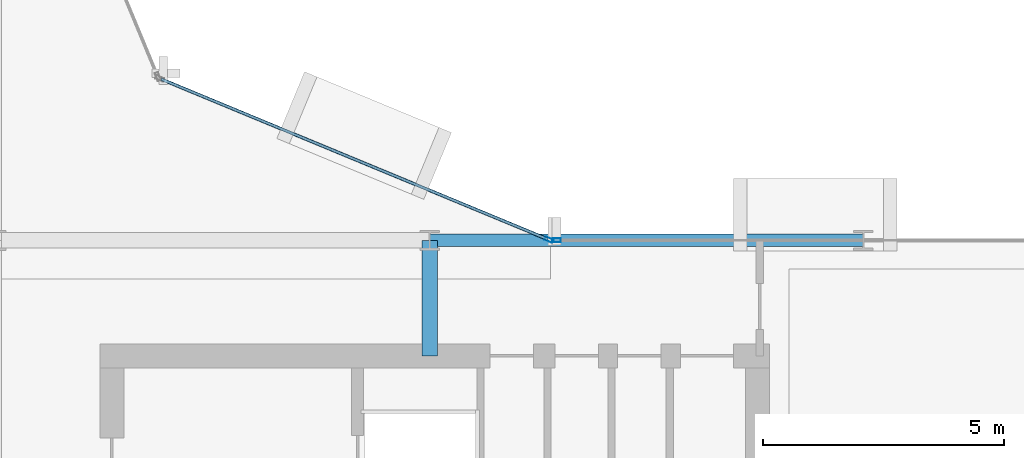
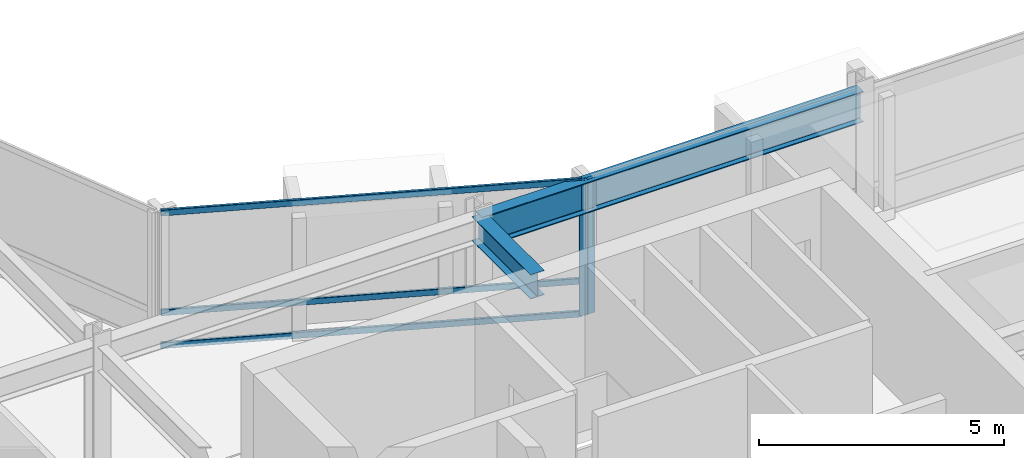
# One storey, part 12 of 27: 5 members, 2 beams, 2 elements without a shape of their own.
"""IFC4 building model written with IfcOpenShell, lengths in metres."""

import ifcopenshell
import ifcopenshell.guid

model = None  # the IFC model being written
_history = None  # IfcOwnerHistory: only IFC2X3 demands one
_inside = {}  # id of a spatial element -> (the spatial element, [elements in it])
_under = {}  # id of a project, library or spatial element -> (it, [spatial elements below it])
_declared = {}  # id of a project -> (the project, [libraries it declares])
_typed = {}  # id of a type object -> (the type object, [elements of that type])
_made_of = {}  # id of a material, layer set ... -> (it, [elements and type objects made of it])


def new_model(schema):
    """Start an empty IFC model of exactly this schema.

    Asked for "IFC4X3", IfcOpenShell would pick the latest addendum, in which some entities
    have other attributes; the version numbers below select the first issue.
    IFC2X3 requires an IfcOwnerHistory on every rooted entity: one is made here for all.
    """
    global model, _history
    if schema == "IFC4X3":
        model = ifcopenshell.file(schema_version=(4, 3, 0, 0))
    else:
        model = ifcopenshell.file(schema=schema)
    _inside.clear()
    _under.clear()
    _declared.clear()
    _typed.clear()
    _made_of.clear()
    _history = None
    if model.schema == "IFC2X3":
        org = make("IfcOrganization", Name="unknown")
        user = make(
            "IfcPersonAndOrganization",
            ThePerson=make("IfcPerson", FamilyName="unknown"),
            TheOrganization=org,
        )
        app = make(
            "IfcApplication",
            ApplicationDeveloper=org,
            Version="unknown",
            ApplicationFullName="unknown",
            ApplicationIdentifier="unknown",
        )
        _history = make(
            "IfcOwnerHistory",
            OwningUser=user,
            OwningApplication=app,
            ChangeAction="ADDED",
            CreationDate=0,
        )
    return model


def make(cls, **values):
    """One entity of the class cls with the attributes given. An attribute that is None is left unset."""
    return model.create_entity(
        cls, **{name: value for name, value in values.items() if value is not None}
    )


def rooted(cls, **values):
    """An entity with a GlobalId (a new one), such as an element, a storey or a relation."""
    return make(cls, GlobalId=ifcopenshell.guid.new(), OwnerHistory=_history, **values)


def si_unit(unit_type, name, prefix=None):
    """IfcSIUnit, for example si_unit("LENGTHUNIT", "METRE", prefix="MILLI")."""
    return make("IfcSIUnit", UnitType=unit_type, Prefix=prefix, Name=name)


def assignment(units):
    """IfcUnitAssignment: the units of a project."""
    return None if units is None else make("IfcUnitAssignment", Units=units)


def point(xyz):
    """IfcCartesianPoint."""
    return None if xyz is None else make("IfcCartesianPoint", Coordinates=xyz)


def direction(xyz):
    """IfcDirection."""
    return None if xyz is None else make("IfcDirection", DirectionRatios=xyz)


def frame(location, z_axis=None, x_axis=None):
    """IfcAxis2Placement3D, a coordinate frame: its origin and axes. An axis left out is left unset."""
    return make(
        "IfcAxis2Placement3D",
        Location=point(location),
        Axis=direction(z_axis),
        RefDirection=direction(x_axis),
    )


def frame_2d(location, x_axis=None):
    """IfcAxis2Placement2D, a coordinate frame in the plane: its origin and x axis."""
    return make(
        "IfcAxis2Placement2D", Location=point(location), RefDirection=direction(x_axis)
    )


def origin():
    """The frame at (0, 0, 0) with its axes left unset."""
    return frame((0.0, 0.0, 0.0))


def origin_2d():
    """The frame at (0, 0) in the plane with its x axis left unset."""
    return frame_2d((0.0, 0.0))


def place(relative_to, where):
    """IfcLocalPlacement: puts the frame where relative to a parent placement (None: the world)."""
    return make(
        "IfcLocalPlacement", PlacementRelTo=relative_to, RelativePlacement=where
    )


def context(
    kind, dimensions, precision=None, world=None, true_north=None, identifier=None
):
    """IfcGeometricRepresentationContext, for example the 3D "Model" context."""
    return make(
        "IfcGeometricRepresentationContext",
        ContextIdentifier=identifier,
        ContextType=kind,
        CoordinateSpaceDimension=dimensions,
        Precision=precision,
        WorldCoordinateSystem=world,
        TrueNorth=true_north,
    )


def subcontext(parent, identifier, kind, view, scale=None):
    """IfcGeometricRepresentationSubContext, for example "Body" below "Model"."""
    return make(
        "IfcGeometricRepresentationSubContext",
        ContextIdentifier=identifier,
        ContextType=kind,
        ParentContext=parent,
        TargetScale=scale,
        TargetView=view,
    )


def project(units=None, contexts=None):
    """IfcProject with its units and contexts."""
    return rooted(
        "IfcProject",
        Name="project",
        RepresentationContexts=contexts,
        UnitsInContext=assignment(units),
    )


def spatial(cls, under=None, at=None, **own):
    """A site, building, storey or space (cls), placed at a placement, below another one or the project."""
    s = rooted(cls, ObjectPlacement=at, **own)
    if under is not None:
        _under.setdefault(under.id(), (under, []))[1].append(s)
    return s


def profile(cls, at=None, kind="AREA", **sizes):
    """A parametric profile (cls). Its sizes go by their IFC names, for example OverallWidth=200.0."""
    return make(cls, ProfileType=kind, Position=at, **sizes)


def hollow_rectangle(**sizes):
    """IfcRectangleHollowProfileDef."""
    return profile("IfcRectangleHollowProfileDef", **sizes)


def i_section(**sizes):
    """IfcIShapeProfileDef."""
    return profile("IfcIShapeProfileDef", **sizes)


def extrude(swept, where, along, depth):
    """IfcExtrudedAreaSolid: the profile swept, set in the frame where, extruded along a direction by depth."""
    return make(
        "IfcExtrudedAreaSolid",
        SweptArea=swept,
        Position=where,
        ExtrudedDirection=direction(along),
        Depth=depth,
    )


def shape(context_of_items, identifier, shape_type, items):
    """IfcShapeRepresentation: the items that make up one representation, for example the "Body"."""
    return make(
        "IfcShapeRepresentation",
        ContextOfItems=context_of_items,
        RepresentationIdentifier=identifier,
        RepresentationType=shape_type,
        Items=items,
    )


def material(Name=None, Category=None):
    """IfcMaterial."""
    return make("IfcMaterial", Name=Name, Category=Category)


def layer(
    of_material, thickness, ventilated=None, Name=None, Category=None, Priority=None
):
    """IfcMaterialLayer: one layer of a wall or slab, of a material (None: an air gap)."""
    return make(
        "IfcMaterialLayer",
        Material=of_material,
        LayerThickness=thickness,
        IsVentilated=ventilated,
        Name=Name,
        Category=Category,
        Priority=Priority,
    )


def layer_set(layers, Name=None):
    """IfcMaterialLayerSet."""
    return make("IfcMaterialLayerSet", MaterialLayers=layers, LayerSetName=Name)


def material_profile(
    of_material, cross_section, Name=None, Category=None, Priority=None
):
    """IfcMaterialProfile: a cross section and its material."""
    return make(
        "IfcMaterialProfile",
        Name=Name,
        Material=of_material,
        Profile=cross_section,
        Priority=Priority,
        Category=Category,
    )


def profile_set(profiles, Name=None, composite=None):
    """IfcMaterialProfileSet."""
    return make(
        "IfcMaterialProfileSet",
        Name=Name,
        MaterialProfiles=profiles,
        CompositeProfile=composite,
    )


def made_of(thing, what):
    """Note that an element or type object is made of a material, layer set ...; save() writes the relation."""
    if what is not None:
        _made_of.setdefault(what.id(), (what, []))[1].append(thing)
    return thing


def type_object(cls, material=None, **own):
    """A type object (cls), such as IfcWallType, which elements share."""
    return made_of(rooted(cls, **own), material)


def element(
    cls,
    number,
    at=None,
    inside=None,
    cuts=None,
    type_object=None,
    material=None,
    context=None,
    identifier="Body",
    shape_type=None,
    held_by="IfcProductDefinitionShape",
    body=None,
    shapes=None,
    **own,
):
    """One element of the class cls, such as IfcWall. Its Tag is "e" and its number.

    at: its placement. inside: the storey or other place that contains it. cuts: it is an
    opening in that element (IfcRelVoidsElement). A single representation is given by context,
    identifier, shape_type and body (its items); several are given by shapes. held_by: the class
    of the entity that holds the representations. save() writes the other relations.
    """
    e = rooted(cls, Tag="e%d" % number, ObjectPlacement=at, **own)
    if body is not None:
        shapes = [shape(context, identifier, shape_type, body)]
    if shapes is not None:
        e.Representation = make(held_by, Representations=shapes)
    if inside is not None:
        _inside.setdefault(inside.id(), (inside, []))[1].append(e)
    if cuts is not None:
        rooted(
            "IfcRelVoidsElement", RelatingBuildingElement=cuts, RelatedOpeningElement=e
        )
    if type_object is not None:
        _typed.setdefault(type_object.id(), (type_object, []))[1].append(e)
    return made_of(e, material)


def aggregate(whole, parts):
    """IfcRelAggregates: a whole, such as a stair, and the parts it consists of."""
    return rooted("IfcRelAggregates", RelatingObject=whole, RelatedObjects=parts)


def save(model, path):
    """Write the relations noted so far, then the file.

    IfcRelAggregates (storeys below a building ...), IfcRelContainedInSpatialStructure (elements
    in a storey), IfcRelDefinesByType, IfcRelAssociatesMaterial and IfcRelDeclares: one each for
    every whole, place, type object, material and project.
    """
    for whole, parts in _under.values():
        aggregate(whole, parts)
    for where, things in _inside.values():
        rooted(
            "IfcRelContainedInSpatialStructure",
            RelatedElements=things,
            RelatingStructure=where,
        )
    for kind, things in _typed.values():
        rooted("IfcRelDefinesByType", RelatedObjects=things, RelatingType=kind)
    for what, things in _made_of.values():
        rooted("IfcRelAssociatesMaterial", RelatedObjects=things, RelatingMaterial=what)
    for by, libraries in _declared.values():
        rooted("IfcRelDeclares", RelatingContext=by, RelatedDefinitions=libraries)
    model.write(path)


model = new_model("IFC4")

# Units and contexts
model_context = context("Model", 3, precision=1e-05, world=origin(), true_north=direction((0.0, 1.0)))
body_context = subcontext(model_context, "Body", "Model", "MODEL_VIEW")
ifc_project = project(units=[si_unit("LENGTHUNIT", "METRE"), si_unit("AREAUNIT", "SQUARE_METRE"), si_unit("VOLUMEUNIT", "CUBIC_METRE"), si_unit("PLANEANGLEUNIT", "RADIAN"), si_unit("MASSUNIT", "GRAM", prefix="KILO")], contexts=[model_context])

# Site, building, storey
site_placement = place(None, origin())
site = spatial("IfcSite", under=ifc_project, at=site_placement, CompositionType="ELEMENT")
building_placement = place(site_placement, origin())
building = spatial("IfcBuilding", under=site, at=building_placement, Name="Solvaryn Broadcast Tower", CompositionType="ELEMENT")
storey_placement = place(building_placement, frame((0.0, 0.0, 192.699951171875)))
storey = spatial("IfcBuildingStorey", under=building, at=storey_placement, Name="L48", CompositionType="ELEMENT", Elevation=192.699951171875)

# Beams
ifc_material_1 = material(Name="Steel ASTM A992 Grade 50", Category="steel")
ifc_material_profile_1 = material_profile(ifc_material_1, i_section(OverallWidth=0.323974609375, OverallDepth=0.611083984375, WebThickness=0.0126953125, FlangeThickness=0.01904296875, FilletRadius=0.014892578125, at=origin_2d()))
ifc_profile_set_1 = profile_set([ifc_material_profile_1], Name="Steel ASTM A992 Grade 50")
beam_type_1 = type_object("IfcBeamType", Name="BM-B1-W24X104", PredefinedType="BEAM", material=ifc_profile_set_1)
beam_1_placement = place(storey_placement, frame((36.0, 24.60009765625, 3.064453125), z_axis=(0.0, 1.0, 0.0), x_axis=(-1.0, 0.0, 0.0)))
element("IfcBeam", 1, at=beam_1_placement, inside=storey, type_object=beam_type_1, Name="L48 Core Tie Beam CTE2", PredefinedType="BEAM", context=body_context, shape_type="SweptSolid", body=[
    extrude(i_section(OverallWidth=0.323974609375, OverallDepth=0.611083984375, WebThickness=0.0126953125, FlangeThickness=0.01904296875, FilletRadius=0.014892578125, at=origin_2d()), origin(), (0.0, 0.0, 1.0), 2.39990234375),
])
ifc_material_2 = material(Name="Steel ASTM A992 Grade 50", Category="steel")
ifc_material_profile_2 = material_profile(ifc_material_2, i_section(OverallWidth=0.26708984375, OverallDepth=0.76611328125, WebThickness=0.014892578125, FlangeThickness=0.023681640625, FilletRadius=0.01806640625, at=origin_2d()))
ifc_profile_set_2 = profile_set([ifc_material_profile_2], Name="Steel ASTM A992 Grade 50")
beam_type_2 = type_object("IfcBeamType", Name="BM-SP2-W30X124", PredefinedType="USERDEFINED", material=ifc_profile_set_2)
beam_2_placement = place(storey_placement, frame((36.0, 27.0, 2.987060546875), z_axis=(1.0, 0.0, 0.0), x_axis=(0.0, 1.0, 0.0)))
element("IfcBeam", 2, at=beam_2_placement, inside=storey, type_object=beam_type_2, Name="L48 Spandrel Beam X (36-45 @ Y=27)", ObjectType="SPANDREL", PredefinedType="USERDEFINED", context=body_context, shape_type="SweptSolid", body=[
    extrude(i_section(OverallWidth=0.26708984375, OverallDepth=0.76611328125, WebThickness=0.014892578125, FlangeThickness=0.023681640625, FilletRadius=0.01806640625, at=origin_2d()), origin(), (0.0, 0.0, 1.0), 9.0),
])

# Curtain wall, member
ifc_material_3 = material(Name="Aluminium and Terracotta Unitised Curtain Wall", Category="masonry")
ifc_layer = layer(ifc_material_3, 0.199951171875)
ifc_layer_set = layer_set([ifc_layer], Name="CW-SYS2-LOWMID")
curtain_wall_type = type_object("IfcCurtainWallType", Name="CW-SYS2-LOWMID", PredefinedType="NOTDEFINED", material=ifc_layer_set)
curtain_wall_1_placement = place(storey_placement, origin())
curtain_wall_1 = element("IfcCurtainWall", 3, at=curtain_wall_1_placement, inside=storey, type_object=curtain_wall_type, Name="L48 Curtain Wall CN1", PredefinedType="NOTDEFINED")
ifc_material_4 = material(Name="Anodised Aluminium 6063-T6", Category="aluminium")
ifc_material_profile_3 = material_profile(ifc_material_4, hollow_rectangle(XDim=0.074951171875, YDim=0.179931640625, WallThickness=0.00390625, InnerFilletRadius=0.00390625, OuterFilletRadius=0.008056640625, at=origin_2d()))
ifc_profile_set_3 = profile_set([ifc_material_profile_3], Name="Anodised Aluminium 6063-T6")
member_type_1 = type_object("IfcMemberType", Name="CW-MUL-180", PredefinedType="MULLION", material=ifc_profile_set_3)
member_1_placement = place(storey_placement, frame((38.47216796875, 27.011474609375, 0.0), z_axis=(0.0, 0.0, 1.0), x_axis=(-0.382646127145, -0.923894983957, 0.0)))
member_1 = element("IfcMember", 4, at=member_1_placement, type_object=member_type_1, Name="CWS2 mullion 1", PredefinedType="MULLION", context=body_context, shape_type="SweptSolid", body=[
    extrude(hollow_rectangle(XDim=0.074951171875, YDim=0.179931640625, WallThickness=0.00390625, InnerFilletRadius=0.00390625, OuterFilletRadius=0.008056640625, at=origin_2d()), origin(), (0.0, 0.0, 1.0), 3.3701171875),
])

curtain_wall_2_placement = place(storey_placement, origin())
curtain_wall_2 = element("IfcCurtainWall", 5, at=curtain_wall_2_placement, inside=storey, type_object=curtain_wall_type, Name="L48 Curtain Wall IH", PredefinedType="NOTDEFINED")
member_2_placement = place(storey_placement, frame((38.6298828125, 27.0, 0.0), z_axis=(0.0, 0.0, 1.0), x_axis=(0.0, 1.0, 0.0)))
member_2 = element("IfcMember", 6, at=member_2_placement, type_object=member_type_1, Name="CWS2 mullion 1", PredefinedType="MULLION", context=body_context, shape_type="SweptSolid", body=[
    extrude(hollow_rectangle(XDim=0.074951171875, YDim=0.179931640625, WallThickness=0.00390625, InnerFilletRadius=0.00390625, OuterFilletRadius=0.008056640625, at=origin_2d()), origin(), (0.0, 0.0, 1.0), 3.3701171875),
])
aggregate(curtain_wall_2, [member_2])

# Member
ifc_material_5 = material(Name="Anodised Aluminium 6063-T6", Category="aluminium")
ifc_material_profile_4 = material_profile(ifc_material_5, hollow_rectangle(XDim=0.06494140625, YDim=0.14990234375, WallThickness=0.00390625, InnerFilletRadius=0.00390625, OuterFilletRadius=0.008056640625, at=origin_2d()))
ifc_profile_set_4 = profile_set([ifc_material_profile_4], Name="Anodised Aluminium 6063-T6")
member_type_2 = type_object("IfcMemberType", Name="CW-TRN-150", PredefinedType="USERDEFINED", material=ifc_profile_set_4)
member_3_placement = place(storey_placement, frame((38.444580078125, 27.02294921875, 0.030029296875), z_axis=(-0.923899282177, 0.382635748975, 0.0), x_axis=(-0.382635748975, -0.923899282177, 0.0)))
member_3 = element("IfcMember", 7, at=member_3_placement, type_object=member_type_2, Name="CWS2 transom 1.1", ObjectType="TRANSOM", PredefinedType="USERDEFINED", context=body_context, shape_type="SweptSolid", body=[
    extrude(hollow_rectangle(XDim=0.06494140625, YDim=0.14990234375, WallThickness=0.00390625, InnerFilletRadius=0.00390625, OuterFilletRadius=0.008056640625, at=origin_2d()), origin(), (0.0, 0.0, 1.0), 8.681884765625),
])

member_4_placement = place(storey_placement, frame((38.444580078125, 27.02294921875, 0.85009765625), z_axis=(-0.923899282177, 0.382635748975, 0.0), x_axis=(-0.382635748975, -0.923899282177, 0.0)))
member_4 = element("IfcMember", 8, at=member_4_placement, type_object=member_type_2, Name="CWS2 transom 1.2", ObjectType="TRANSOM", PredefinedType="USERDEFINED", context=body_context, shape_type="SweptSolid", body=[
    extrude(hollow_rectangle(XDim=0.06494140625, YDim=0.14990234375, WallThickness=0.00390625, InnerFilletRadius=0.00390625, OuterFilletRadius=0.008056640625, at=origin_2d()), origin(), (0.0, 0.0, 1.0), 8.681884765625),
])

member_5_placement = place(storey_placement, frame((38.444580078125, 27.02294921875, 3.340087890625), z_axis=(-0.923899282177, 0.382635748975, 0.0), x_axis=(-0.382635748975, -0.923899282177, 0.0)))
member_5 = element("IfcMember", 9, at=member_5_placement, type_object=member_type_2, Name="CWS2 transom 1.3", ObjectType="TRANSOM", PredefinedType="USERDEFINED", context=body_context, shape_type="SweptSolid", body=[
    extrude(hollow_rectangle(XDim=0.06494140625, YDim=0.14990234375, WallThickness=0.00390625, InnerFilletRadius=0.00390625, OuterFilletRadius=0.008056640625, at=origin_2d()), origin(), (0.0, 0.0, 1.0), 8.681884765625),
])

aggregate(curtain_wall_1, [member_1, member_3, member_4, member_5])

save(model, "model.ifc")
